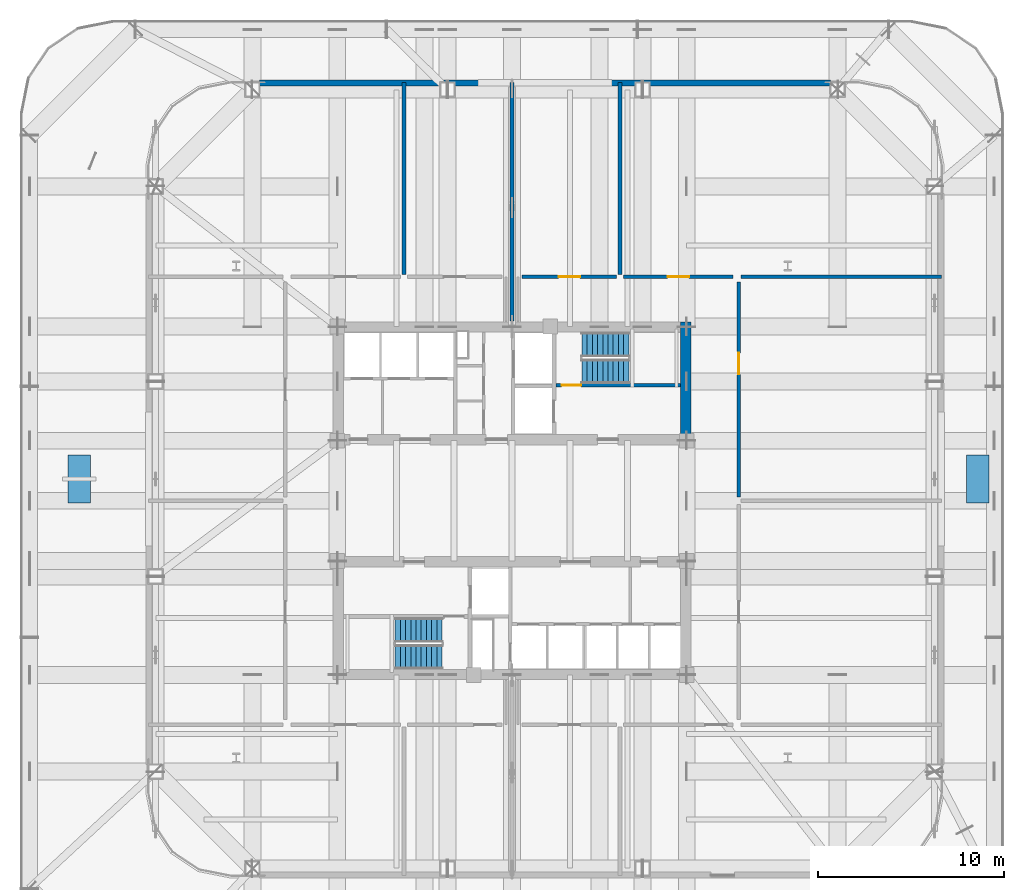
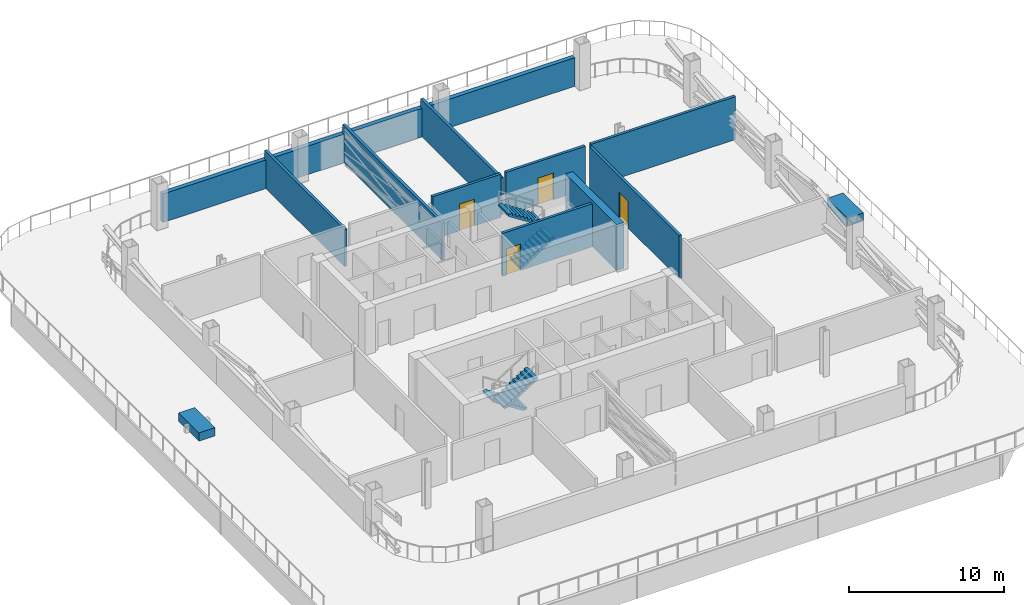
# One storey, part 10 of 16: 10 walls, 4 doors, 4 stair flights, 2 discrete accessories, 4 openings, 2 elements without a shape of their own.
"""IFC4 building model written with IfcOpenShell, lengths in metres."""

from ifc_helpers import new_model, si_unit, direction, frame, frame_2d, origin, origin_2d, place, context, subcontext, project, spatial, polyline, rectangle, outline, extrude, material, layer, layer_set, type_object, element, fill, aggregate, save


model = new_model("IFC4")

# Units and contexts
model_context = context("Model", 3, precision=1e-05, world=origin(), true_north=direction((0.0, 1.0)))
body_context = subcontext(model_context, "Body", "Model", "MODEL_VIEW")
ifc_project = project(units=[si_unit("LENGTHUNIT", "METRE"), si_unit("AREAUNIT", "SQUARE_METRE"), si_unit("VOLUMEUNIT", "CUBIC_METRE"), si_unit("PLANEANGLEUNIT", "RADIAN"), si_unit("MASSUNIT", "GRAM", prefix="KILO")], contexts=[model_context])

# Site, building, storey
site_placement = place(None, origin())
site = spatial("IfcSite", under=ifc_project, at=site_placement, CompositionType="ELEMENT")
building_placement = place(site_placement, origin())
building = spatial("IfcBuilding", under=site, at=building_placement, Name="Qhalaya Broadcast Tower", CompositionType="ELEMENT")
storey_placement = place(building_placement, frame((0.0, 0.0, 57.89990234375)))
storey = spatial("IfcBuildingStorey", under=building, at=storey_placement, Name="L16", CompositionType="ELEMENT", Elevation=57.89990234375)

# Walls
ifc_material_1 = material(Name="Gypsum Acoustic Partition")
ifc_layer_1 = layer(ifc_material_1, 0.199951171875, Name="Gypsum Acoustic Partition")
ifc_layer_set_1 = layer_set([ifc_layer_1], Name="Gypsum Acoustic Partition")
wall_type_1 = type_object("IfcWallType", Name="Firefighting Lobby & Stair Enclosure Wall 200", PredefinedType="PARTITIONING", material=ifc_layer_set_1)
wall_1_placement = place(storey_placement, frame((0.0, 10.239990234375, 0.0), z_axis=(0.0, 0.0, 1.0), x_axis=(0.0, 1.0, 0.0)))
element("IfcWall", 1, at=wall_1_placement, inside=storey, type_object=wall_type_1, Name="L16 Partition Wall W-OBN", PredefinedType="PARTITIONING", context=body_context, shape_type="SweptSolid", body=[
    extrude(rectangle(XDim=12.81005859375, YDim=0.199951171875, at=frame_2d((6.405029296875, 0.0))), origin(), (0.0, 0.0, 1.0), 2.901123046875),
])
wall_2_placement = place(storey_placement, frame((-5.800048828125, 12.739990234375, 0.0), z_axis=(0.0, 0.0, 1.0), x_axis=(0.0, 1.0, 0.0)))
element("IfcWall", 2, at=wall_2_placement, inside=storey, type_object=wall_type_1, Name="L16 Partition Wall W-PDN1", PredefinedType="PARTITIONING", context=body_context, shape_type="SweptSolid", body=[
    extrude(rectangle(XDim=10.31005859375, YDim=0.199951171875, at=frame_2d((5.155029296875, 0.0))), origin(), (0.0, 0.0, 1.0), 2.901123046875),
])

# Wall, opening, door
wall_3_placement = place(storey_placement, frame((0.530029296875, 12.6201171875, 0.0), z_axis=(0.0, 0.0, 1.0), x_axis=(1.0, 0.0, 0.0)))
wall_3 = element("IfcWall", 3, at=wall_3_placement, inside=storey, type_object=wall_type_1, Name="L16 Partition Wall W-PCN2", PredefinedType="PARTITIONING", context=body_context, shape_type="SweptSolid", body=[
    extrude(rectangle(XDim=5.090087890625, YDim=0.199951171875, at=frame_2d((2.544921875, 0.0))), origin(), (0.0, 0.0, 1.0), 3.380126953125),
])
opening_1_placement = place(wall_3_placement, frame((1.969970703125, 0.0, 0.0)))
opening_1 = element("IfcOpeningElement", 4, at=opening_1_placement, cuts=wall_3, Name="Opening D05", PredefinedType="OPENING", context=body_context, shape_type="SweptSolid", body=[
    extrude(rectangle(XDim=1.14990234375, YDim=2.10009765625, at=frame_2d((0.574951171875, 1.050048828125))), frame((0.0, 0.112060546875, 0.0), z_axis=(0.0, -1.0, 0.0), x_axis=(1.0, 0.0, 0.0)), (0.0, 0.0, 1.0), 0.223876953125),
])
ifc_material_2 = material(Name="Fire-Rated Steel Door", Category="steel")
door_type_1 = type_object("IfcDoorType", Name="Refuge & Plant Room Fire Door D05", OperationType="NOTDEFINED", PredefinedType="DOOR", material=ifc_material_2)
door_1_placement = place(opening_1_placement, origin())
door_1 = element("IfcDoor", 5, at=door_1_placement, inside=storey, type_object=door_type_1, Name="L16 Door D-PCN2", OperationType="SINGLE_SWING_LEFT", OverallHeight=2.10009765625, OverallWidth=1.14990234375, PredefinedType="DOOR", context=body_context, shape_type="SweptSolid", body=[
    extrude(rectangle(XDim=1.14990234375, YDim=2.10009765625, at=frame_2d((0.574951171875, 1.050048828125))), frame((0.0, 0.02490234375, 0.0), z_axis=(0.0, -1.0, 0.0), x_axis=(1.0, 0.0, 0.0)), (0.0, 0.0, 1.0), 0.050048828125),
])
fill(opening_1, door_1)

# Wall
wall_4_placement = place(storey_placement, frame((5.800048828125, 12.739990234375, 0.0), z_axis=(0.0, 0.0, 1.0), x_axis=(0.0, 1.0, 0.0)))
element("IfcWall", 6, at=wall_4_placement, inside=storey, type_object=wall_type_1, Name="L16 Partition Wall W-PDN3", PredefinedType="PARTITIONING", context=body_context, shape_type="SweptSolid", body=[
    extrude(rectangle(XDim=10.31005859375, YDim=0.199951171875, at=frame_2d((5.155029296875, 0.0))), origin(), (0.0, 0.0, 1.0), 2.901123046875),
])

# Wall, opening, door
wall_5_placement = place(storey_placement, frame((5.97998046875, 12.6201171875, 0.0), z_axis=(0.0, 0.0, 1.0), x_axis=(1.0, 0.0, 0.0)))
wall_5 = element("IfcWall", 7, at=wall_5_placement, inside=storey, type_object=wall_type_1, Name="L16 Partition Wall W-PCN3", PredefinedType="PARTITIONING", context=body_context, shape_type="SweptSolid", body=[
    extrude(rectangle(XDim=5.89013671875, YDim=0.199951171875, at=frame_2d((2.945068359375, 0.0))), origin(), (0.0, 0.0, 1.0), 3.380126953125),
])
opening_2_placement = place(wall_5_placement, frame((2.3701171875, 0.0, 0.0)))
opening_2 = element("IfcOpeningElement", 8, at=opening_2_placement, cuts=wall_5, Name="Opening D05", PredefinedType="OPENING", context=body_context, shape_type="SweptSolid", body=[
    extrude(rectangle(XDim=1.14990234375, YDim=2.10009765625, at=frame_2d((0.574951171875, 1.050048828125))), frame((0.0, 0.112060546875, 0.0), z_axis=(0.0, -1.0, 0.0), x_axis=(1.0, 0.0, 0.0)), (0.0, 0.0, 1.0), 0.223876953125),
])
door_2_placement = place(opening_2_placement, origin())
door_2 = element("IfcDoor", 9, at=door_2_placement, inside=storey, type_object=door_type_1, Name="L16 Door D-PCN3", OperationType="SINGLE_SWING_LEFT", OverallHeight=2.10009765625, OverallWidth=1.14990234375, PredefinedType="DOOR", context=body_context, shape_type="SweptSolid", body=[
    extrude(rectangle(XDim=1.14990234375, YDim=2.10009765625, at=frame_2d((0.574951171875, 1.050048828125))), frame((0.0, 0.02490234375, 0.0), z_axis=(0.0, -1.0, 0.0), x_axis=(1.0, 0.0, 0.0)), (0.0, 0.0, 1.0), 0.050048828125),
])
fill(opening_2, door_2)

# Wall
wall_6_placement = place(storey_placement, frame((12.2900390625, 12.6201171875, 0.0), z_axis=(0.0, 0.0, 1.0), x_axis=(1.0, 0.0, 0.0)))
element("IfcWall", 10, at=wall_6_placement, inside=storey, type_object=wall_type_1, Name="L16 Partition Wall W-PBNE", PredefinedType="PARTITIONING", context=body_context, shape_type="SweptSolid", body=[
    extrude(rectangle(XDim=10.760009765625, YDim=0.199951171875, at=frame_2d((5.3798828125, 0.0))), origin(), (0.0, 0.0, 1.0), 3.380126953125),
])

# Wall, opening, door
wall_7_placement = place(storey_placement, frame((12.169921875, 0.81005859375, 0.0), z_axis=(0.0, 0.0, 1.0), x_axis=(0.0, 1.0, 0.0)))
wall_7 = element("IfcWall", 11, at=wall_7_placement, inside=storey, type_object=wall_type_1, Name="L16 Partition Wall W-PCE2", PredefinedType="PARTITIONING", context=body_context, shape_type="SweptSolid", body=[
    extrude(rectangle(XDim=11.530029296875, YDim=0.199951171875, at=frame_2d((5.76513671875, 0.0))), origin(), (0.0, 0.0, 1.0), 3.380126953125),
])
opening_3_placement = place(wall_7_placement, frame((6.573974609375, 0.0, 0.0)))
opening_3 = element("IfcOpeningElement", 12, at=opening_3_placement, cuts=wall_7, Name="Opening D05", PredefinedType="OPENING", context=body_context, shape_type="SweptSolid", body=[
    extrude(rectangle(XDim=1.14990234375, YDim=2.10009765625, at=frame_2d((0.574951171875, 1.050048828125))), frame((0.0, 0.112060546875, 0.0), z_axis=(0.0, -1.0, 0.0), x_axis=(1.0, 0.0, 0.0)), (0.0, 0.0, 1.0), 0.223876953125),
])
door_3_placement = place(opening_3_placement, origin())
door_3 = element("IfcDoor", 13, at=door_3_placement, inside=storey, type_object=door_type_1, Name="L16 Door D-PCE2", OperationType="SINGLE_SWING_LEFT", OverallHeight=2.10009765625, OverallWidth=1.14990234375, PredefinedType="DOOR", context=body_context, shape_type="SweptSolid", body=[
    extrude(rectangle(XDim=1.14990234375, YDim=2.10009765625, at=frame_2d((0.574951171875, 1.050048828125))), frame((0.0, 0.02490234375, 0.0), z_axis=(0.0, -1.0, 0.0), x_axis=(1.0, 0.0, 0.0)), (0.0, 0.0, 1.0), 0.050048828125),
])
fill(opening_3, door_3)

ifc_material_3 = material(Name="Concrete C50/60", Category="concrete")
ifc_layer_2 = layer(ifc_material_3, 0.199951171875, Name="Concrete C50/60")
ifc_layer_set_2 = layer_set([ifc_layer_2], Name="Concrete C50/60")
wall_type_2 = type_object("IfcWallType", Name="Load-Bearing Stair Shaft Wall 200", PredefinedType="SHEAR", material=ifc_layer_set_2)
wall_8_placement = place(storey_placement, frame((2.360107421875, 6.804931640625, 0.0), z_axis=(0.0, 0.0, 1.0), x_axis=(1.0, 0.0, 0.0)))
wall_8 = element("IfcWall", 14, at=wall_8_placement, inside=storey, type_object=wall_type_2, Name="L16 Stair Core Shear Wall NCW-ST1", PredefinedType="SHEAR", context=body_context, shape_type="SweptSolid", body=[
    extrude(rectangle(XDim=6.669921875, YDim=0.199951171875, at=frame_2d((3.3349609375, 0.0))), origin(), (0.0, 0.0, 1.0), 3.380126953125),
])
opening_4_placement = place(wall_8_placement, frame((0.300048828125, 0.0, 0.0)))
opening_4 = element("IfcOpeningElement", 15, at=opening_4_placement, cuts=wall_8, Name="Opening D03", PredefinedType="OPENING", context=body_context, shape_type="SweptSolid", body=[
    extrude(rectangle(XDim=1.050048828125, YDim=2.080078125, at=frame_2d((0.52490234375, 1.0400390625))), frame((0.0, 0.112060546875, 0.0), z_axis=(0.0, -1.0, 0.0), x_axis=(1.0, 0.0, 0.0)), (0.0, 0.0, 1.0), 0.223876953125),
])
door_type_2 = type_object("IfcDoorType", Name="Core Stair Protected Fire Door D03", OperationType="NOTDEFINED", PredefinedType="DOOR", material=ifc_material_2)
door_4_placement = place(opening_4_placement, origin())
door_4 = element("IfcDoor", 16, at=door_4_placement, inside=storey, type_object=door_type_2, Name="L16 Door D-NST1", OperationType="SINGLE_SWING_LEFT", OverallHeight=2.080078125, OverallWidth=1.050048828125, PredefinedType="DOOR", context=body_context, shape_type="SweptSolid", body=[
    extrude(rectangle(XDim=1.050048828125, YDim=2.080078125, at=frame_2d((0.52490234375, 1.0400390625))), frame((0.0, 0.02490234375, 0.0), z_axis=(0.0, -1.0, 0.0), x_axis=(1.0, 0.0, 0.0)), (0.0, 0.0, 1.0), 0.050048828125),
])
fill(opening_4, door_4)

# Walls
ifc_material_4 = material(Name="Concrete C60/75", Category="concrete")
ifc_layer_3 = layer(ifc_material_4, 0.550048828125, Name="Concrete C60/75")
ifc_layer_set_3 = layer_set([ifc_layer_3], Name="Concrete C60/75")
wall_type_3 = type_object("IfcWallType", Name="Lower Split-Core Shear Wall 550", PredefinedType="SHEAR", material=ifc_layer_set_3)
wall_9_placement = place(storey_placement, frame((9.324951171875, 3.60009765625, 0.0), z_axis=(0.0, 0.0, 1.0), x_axis=(0.0, 1.0, 0.0)))
element("IfcWall", 17, at=wall_9_placement, inside=storey, type_object=wall_type_3, Name="L16 Split-Core Shear Wall CW-NE", PredefinedType="SHEAR", context=body_context, shape_type="SweptSolid", body=[
    extrude(rectangle(XDim=6.599853515625, YDim=0.550048828125, at=frame_2d((3.2998046875, 0.0))), origin(), (0.0, 0.0, 1.0), 3.60009765625),
])
ifc_material_5 = material(Name="Precast Concrete C40/50", Category="concrete")
ifc_layer_4 = layer(ifc_material_5, 0.320068359375, Name="Precast Concrete C40/50")
ifc_layer_set_4 = layer_set([ifc_layer_4], Name="Precast Concrete C40/50")
wall_type_4 = type_object("IfcWallType", Name="Recessed Neck Insulated Exterior Wall 320", PredefinedType="SOLIDWALL", material=ifc_layer_set_4)
wall_10_placement = place(storey_placement, frame((-13.5419921875, 23.030029296875, 0.0), z_axis=(0.0, 0.0, 1.0), x_axis=(1.0, 0.0, 0.0)))
element("IfcWall", 18, at=wall_10_placement, inside=storey, type_object=wall_type_4, Name="L16 Exterior Facade Wall N", PredefinedType="SOLIDWALL", context=body_context, shape_type="SweptSolid", body=[
    extrude(rectangle(XDim=30.6240234375, YDim=0.320068359375, at=frame_2d((15.31201171875, 0.0))), origin(), (0.0, 0.0, 1.0), 2.2421875),
])

# Stair, stair flights
ifc_material_6 = material(Name="Concrete C40/50", Category="concrete")
stair_type = type_object("IfcStairType", Name="Protected Dogleg Core Stair 3600", PredefinedType="TWO_STRAIGHT_RUN_STAIR", material=ifc_material_6)
stair_1_placement = place(storey_placement, origin())
stair_1 = element("IfcStair", 19, at=stair_1_placement, inside=storey, type_object=stair_type, Name="L16 North Core Exit Stair ST-1", PredefinedType="TWO_STRAIGHT_RUN_STAIR")
stair_flight_type = type_object("IfcStairFlightType", Name="Precast Concrete Stair Flight 3600", PredefinedType="STRAIGHT", material=ifc_material_5)
stair_flight_1_placement = place(storey_placement, frame((3.75, 7.5400390625, 0.0), z_axis=(0.0, 0.0, 1.0), x_axis=(1.0, 0.0, 0.0)))
stair_flight_1 = element("IfcStairFlight", 20, at=stair_flight_1_placement, type_object=stair_flight_type, Name="ST-1 flight 1", NumberOfRisers=10, NumberOfTreads=9, PredefinedType="STRAIGHT", RiserHeight=0.18, TreadLength=0.28, context=body_context, shape_type="SweptSolid", body=[
    extrude(outline(polyline([(0.0, 0.0), (0.0, 0.179931640625), (0.280029296875, 0.179931640625), (0.280029296875, 0.360107421875), (0.56005859375, 0.360107421875), (0.56005859375, 0.5400390625), (0.840087890625, 0.5400390625), (0.840087890625, 0.719970703125), (1.1201171875, 0.719970703125), (1.1201171875, 0.89990234375), (1.39990234375, 0.89990234375), (1.39990234375, 1.080078125), (1.679931640625, 1.080078125), (1.679931640625, 1.260009765625), (1.9599609375, 1.260009765625), (1.9599609375, 1.43994140625), (2.239990234375, 1.43994140625), (2.239990234375, 1.6201171875), (2.52001953125, 1.6201171875), (2.52001953125, 1.800048828125), (2.52001953125, 1.44189453125), (0.277099609375, 0.0), (0.0, 0.0)])), frame((0.0, 0.66015625, 0.0), z_axis=(0.0, -1.0, 0.0), x_axis=(1.0, 0.0, 0.0)), (0.0, 0.0, 1.0), 1.320068359375),
])
stair_flight_2_placement = place(storey_placement, frame((6.27001953125, 8.97998046875, 1.800048828125), z_axis=(0.0, 0.0, 1.0), x_axis=(-1.0, 0.0, 0.0)))
stair_flight_2 = element("IfcStairFlight", 21, at=stair_flight_2_placement, type_object=stair_flight_type, Name="ST-1 flight 2", NumberOfRisers=10, NumberOfTreads=9, PredefinedType="STRAIGHT", RiserHeight=0.18, TreadLength=0.28, context=body_context, shape_type="SweptSolid", body=[
    extrude(outline(polyline([(0.0, 0.0), (0.0, 0.179931640625), (0.280029296875, 0.179931640625), (0.280029296875, 0.360107421875), (0.56005859375, 0.360107421875), (0.56005859375, 0.5400390625), (0.840087890625, 0.5400390625), (0.840087890625, 0.719970703125), (1.1201171875, 0.719970703125), (1.1201171875, 0.89990234375), (1.39990234375, 0.89990234375), (1.39990234375, 1.080078125), (1.679931640625, 1.080078125), (1.679931640625, 1.260009765625), (1.9599609375, 1.260009765625), (1.9599609375, 1.43994140625), (2.239990234375, 1.43994140625), (2.239990234375, 1.6201171875), (2.52001953125, 1.6201171875), (2.52001953125, 1.800048828125), (2.52001953125, 1.44189453125), (0.277099609375, 0.0), (0.0, 0.0)])), frame((0.0, 0.66015625, 0.0), z_axis=(0.0, -1.0, 0.0), x_axis=(1.0, 0.0, 0.0)), (0.0, 0.0, 1.0), 1.320068359375),
])
aggregate(stair_1, [stair_flight_1, stair_flight_2])

stair_2_placement = place(storey_placement, origin())
stair_2 = element("IfcStair", 22, at=stair_2_placement, inside=storey, type_object=stair_type, Name="L16 South Core Exit Stair ST-2", PredefinedType="TWO_STRAIGHT_RUN_STAIR")
stair_flight_3_placement = place(storey_placement, frame((-3.75, -6.340087890625, 0.0), z_axis=(0.0, 0.0, 1.0), x_axis=(-1.0, 0.0, 0.0)))
stair_flight_3 = element("IfcStairFlight", 23, at=stair_flight_3_placement, type_object=stair_flight_type, Name="ST-2 flight 1", NumberOfRisers=10, NumberOfTreads=9, PredefinedType="STRAIGHT", RiserHeight=0.18, TreadLength=0.28, context=body_context, shape_type="SweptSolid", body=[
    extrude(outline(polyline([(0.0, 0.0), (0.0, 0.179931640625), (0.280029296875, 0.179931640625), (0.280029296875, 0.360107421875), (0.56005859375, 0.360107421875), (0.56005859375, 0.5400390625), (0.840087890625, 0.5400390625), (0.840087890625, 0.719970703125), (1.1201171875, 0.719970703125), (1.1201171875, 0.89990234375), (1.39990234375, 0.89990234375), (1.39990234375, 1.080078125), (1.679931640625, 1.080078125), (1.679931640625, 1.260009765625), (1.9599609375, 1.260009765625), (1.9599609375, 1.43994140625), (2.239990234375, 1.43994140625), (2.239990234375, 1.6201171875), (2.52001953125, 1.6201171875), (2.52001953125, 1.800048828125), (2.52001953125, 1.44189453125), (0.277099609375, 0.0), (0.0, 0.0)])), frame((0.0, 0.66015625, 0.0), z_axis=(0.0, -1.0, 0.0), x_axis=(1.0, 0.0, 0.0)), (0.0, 0.0, 1.0), 1.320068359375),
])
stair_flight_4_placement = place(storey_placement, frame((-6.27001953125, -7.780029296875, 1.800048828125), z_axis=(0.0, 0.0, 1.0), x_axis=(1.0, 0.0, 0.0)))
stair_flight_4 = element("IfcStairFlight", 24, at=stair_flight_4_placement, type_object=stair_flight_type, Name="ST-2 flight 2", NumberOfRisers=10, NumberOfTreads=9, PredefinedType="STRAIGHT", RiserHeight=0.18, TreadLength=0.28, context=body_context, shape_type="SweptSolid", body=[
    extrude(outline(polyline([(0.0, 0.0), (0.0, 0.179931640625), (0.280029296875, 0.179931640625), (0.280029296875, 0.360107421875), (0.56005859375, 0.360107421875), (0.56005859375, 0.5400390625), (0.840087890625, 0.5400390625), (0.840087890625, 0.719970703125), (1.1201171875, 0.719970703125), (1.1201171875, 0.89990234375), (1.39990234375, 0.89990234375), (1.39990234375, 1.080078125), (1.679931640625, 1.080078125), (1.679931640625, 1.260009765625), (1.9599609375, 1.260009765625), (1.9599609375, 1.43994140625), (2.239990234375, 1.43994140625), (2.239990234375, 1.6201171875), (2.52001953125, 1.6201171875), (2.52001953125, 1.800048828125), (2.52001953125, 1.44189453125), (0.277099609375, 0.0), (0.0, 0.0)])), frame((0.0, 0.66015625, 0.0), z_axis=(0.0, -1.0, 0.0), x_axis=(1.0, 0.0, 0.0)), (0.0, 0.0, 1.0), 1.320068359375),
])
aggregate(stair_2, [stair_flight_3, stair_flight_4])

# Discrete accessories
ifc_material_7 = material(Name="Fired Architectural Terracotta", Category="masonry")
discrete_accessory_type = type_object("IfcDiscreteAccessoryType", Name="Terracotta Sky-Garden Planter Box PLN-01", PredefinedType="USERDEFINED", material=ifc_material_7)
for number, where, z_axis, x_axis, name in (
    (25, (-23.215087890625, 1.77001953125, 0.000244140625), (0.0, 0.0, 1.0), (1.0, 0.0, 0.0), "L16 Sky Garden Planter PLN-11"),
    (26, (24.985107421875, 1.77001953125, 0.000244140625), (0.0, 0.0, 1.0), (1.0, 0.0, 0.0), "L16 Sky Garden Planter PLN-12"),
):
    element("IfcDiscreteAccessory", number, at=place(storey_placement, frame(where, z_axis=z_axis, x_axis=x_axis)), inside=storey, type_object=discrete_accessory_type, Name=name, ObjectType="PLANTER", PredefinedType="USERDEFINED", context=body_context, shape_type="SweptSolid", body=[
        extrude(rectangle(XDim=1.199951171875, YDim=2.60009765625, at=origin_2d()), origin(), (0.0, 0.0, 1.0), 0.64990234375),
    ])

save(model, "model.ifc")
